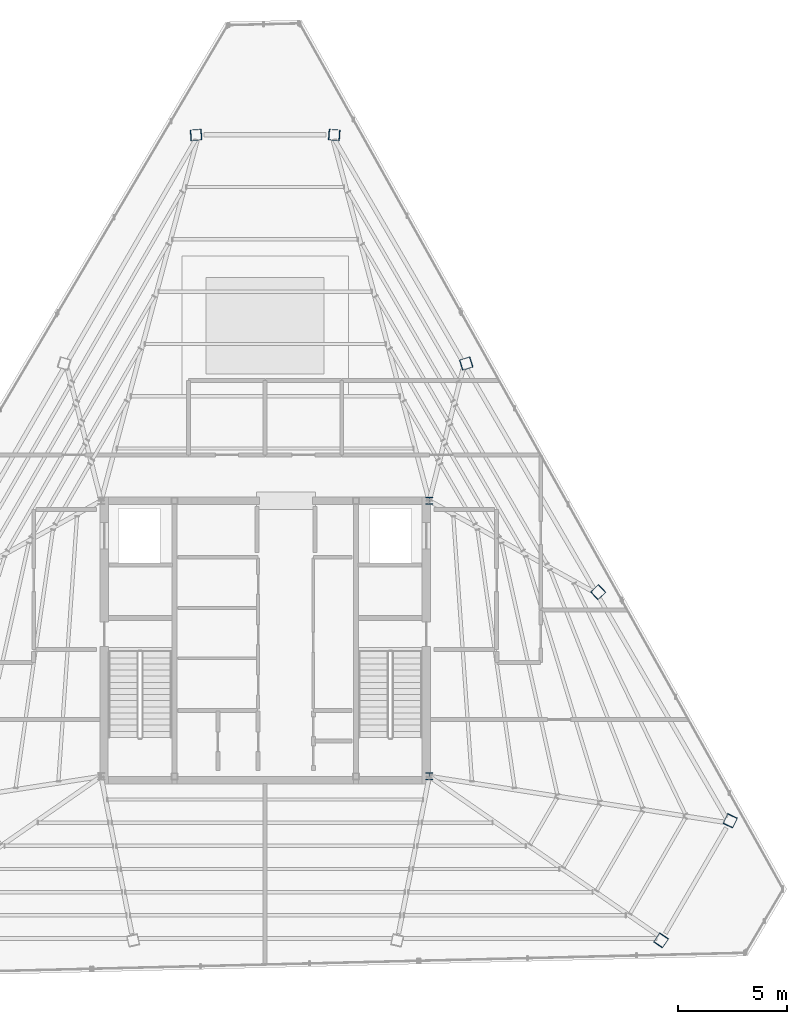
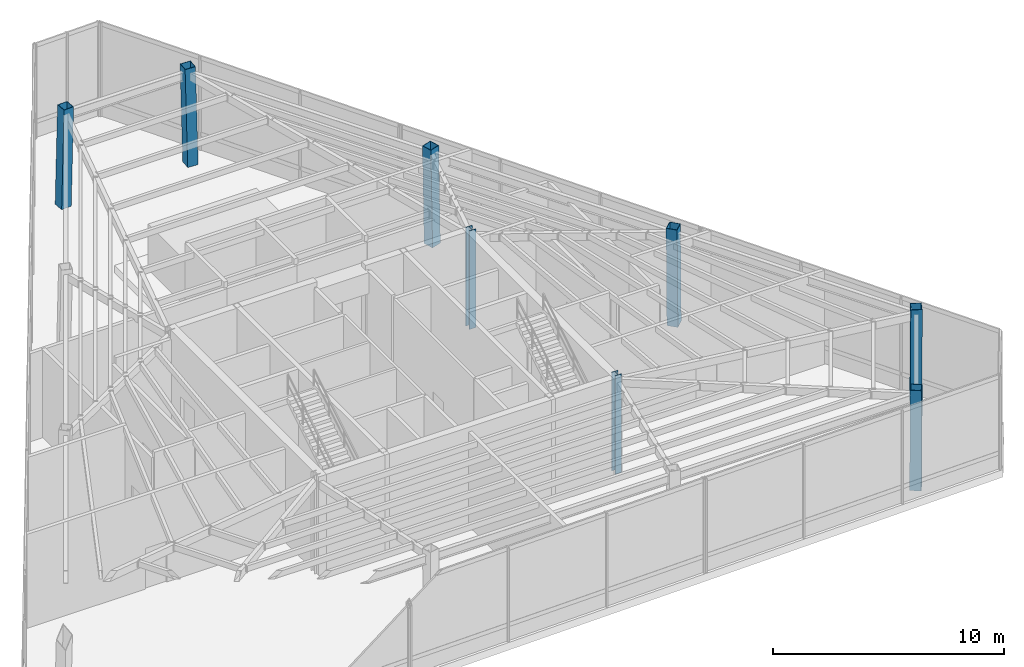
# One storey, part 2 of 25: 8 columns.
"""IFC4 building model written with IfcOpenShell, lengths in metres."""

from ifc_helpers import new_model, si_unit, direction, frame, origin, origin_2d, place, context, subcontext, project, spatial, hollow_rectangle, i_section, extrude, source, transform, mapped, material, material_profile, profile_set, type_object, type_shapes, element, save


model = new_model("IFC4")

# Units and contexts
model_context = context("Model", 3, precision=1e-05, world=origin(), true_north=direction((0.0, 1.0)))
body_context = subcontext(model_context, "Body", "Model", "MODEL_VIEW")
ifc_project = project(units=[si_unit("LENGTHUNIT", "METRE"), si_unit("AREAUNIT", "SQUARE_METRE"), si_unit("VOLUMEUNIT", "CUBIC_METRE"), si_unit("PLANEANGLEUNIT", "RADIAN"), si_unit("MASSUNIT", "GRAM", prefix="KILO")], contexts=[model_context])

# Site, building, storey
site_placement = place(None, origin())
site = spatial("IfcSite", under=ifc_project, at=site_placement, CompositionType="ELEMENT")
building_placement = place(site_placement, origin())
building = spatial("IfcBuilding", under=site, at=building_placement, Name="Caelisora Broadcast Tower", CompositionType="ELEMENT")
storey_placement = place(building_placement, frame((0.0, 0.0, 284.60009765625)))
storey = spatial("IfcBuildingStorey", under=building, at=storey_placement, Name="L75", CompositionType="ELEMENT", Elevation=284.60009765625)

# Columns
ifc_material_1 = material(Name="Steel Grade 350 (AS/NZS 3679.1)", Category="steel")
ifc_material_profile_1 = material_profile(ifc_material_1, i_section(OverallWidth=0.31103515625, OverallDepth=0.3271484375, WebThickness=0.015625, FlangeThickness=0.02490234375, at=origin_2d()), Name="Steel Grade 350 (AS/NZS 3679.1)")
ifc_profile_set_1 = profile_set([ifc_material_profile_1], Name="Steel Grade 350 (AS/NZS 3679.1)")
column_type_1 = type_object("IfcColumnType", Name="CC03", PredefinedType="COLUMN", material=ifc_profile_set_1)
shared_shape_1 = source(origin(), body_context, "Body", "SweptSolid", [
    extrude(i_section(OverallWidth=0.31103515625, OverallDepth=0.3271484375, WebThickness=0.015625, FlangeThickness=0.02490234375, at=origin_2d()), origin(), (0.0, 0.0, 1.0), 5.199951171875),
])
type_shapes(column_type_1, [shared_shape_1])
for number, where, z_axis, x_axis, name in (
    (1, (45.5, 17.39990234375, 0.0), (0.0, 0.0, 1.0), (1.0, 0.0, 0.0), "L75 column CC03"),
    (2, (45.5, 30.0, 0.0), (0.0, 0.0, 1.0), (1.0, 0.0, 0.0), "L75 column CC03"),
):
    element("IfcColumn", number, at=place(storey_placement, frame(where, z_axis=z_axis, x_axis=x_axis)), inside=storey, type_object=column_type_1, Name=name, PredefinedType="COLUMN", context=body_context, shape_type="MappedRepresentation", body=[
        mapped(shared_shape_1, transform((0.0, 0.0, 0.0), scale=1.0)),
    ])
ifc_material_2 = material(Name="Steel Grade 350 L15 (AS/NZS 3678)", Category="steel")
ifc_material_profile_2 = material_profile(ifc_material_2, hollow_rectangle(XDim=0.5, YDim=0.5, WallThickness=0.02001953125, at=origin_2d()), Name="Steel Grade 350 L15 (AS/NZS 3678)")
ifc_profile_set_2 = profile_set([ifc_material_profile_2], Name="Steel Grade 350 L15 (AS/NZS 3678)")
column_type_2 = type_object("IfcColumnType", Name="MC07", PredefinedType="COLUMN", material=ifc_profile_set_2)
shared_shape_2 = source(origin(), body_context, "Body", "SweptSolid", [
    extrude(hollow_rectangle(XDim=0.5, YDim=0.5, WallThickness=0.02001953125, at=origin_2d()), origin(), (0.0, 0.0, 1.0), 5.201416015625),
])
for number, where, z_axis, x_axis, name in (
    (3, (41.17236328125, 46.724365234375, 0.0), (-0.023890978368, 0.001736672298, 0.999713061394), (-0.072500256518, -0.997368393727, 0.0), "L75 column MC07"),
    (4, (34.82763671875, 46.724365234375, 0.0), (0.023890978368, 0.001736672298, 0.999713061394), (-0.072500256518, 0.997368393727, 0.0), "L75 column MC07"),
    (5, (56.093505859375, 9.890380859375, 0.0), (0.013517873063, 0.019807439002, 0.999712424884), (-0.825978804596, 0.5637011747, 0.0), "L75 column MC07"),
    (6, (59.26611328125, 15.38525390625, 0.0), (-0.010420028806, -0.021591050678, 0.999712583461), (0.900604493163, -0.434639559744, 0.0), "L75 column MC07"),
):
    element("IfcColumn", number, at=place(storey_placement, frame(where, z_axis=z_axis, x_axis=x_axis)), inside=storey, type_object=column_type_2, Name=name, PredefinedType="COLUMN", context=body_context, shape_type="MappedRepresentation", body=[
        mapped(shared_shape_2, transform((0.0, 0.0, 0.0), scale=1.0)),
    ])
shared_shape_3 = source(origin(), body_context, "Body", "SweptSolid", [
    extrude(hollow_rectangle(XDim=0.5, YDim=0.5, WallThickness=0.02001953125, at=origin_2d()), origin(), (0.0, 0.0, 1.0), 5.200927734375),
])
type_shapes(column_type_2, [shared_shape_2, shared_shape_3])
for number, where, z_axis, x_axis, name in (
    (7, (53.23486328125, 25.83154296875, 0.0), (-0.014927202574, -0.013753680359, 0.999793986229), (0.677607449893, -0.735423785208, 0.0), "L75 column MC07"),
    (8, (47.20361328125, 36.27783203125, 0.0), (-0.019386587418, -0.006008433873, 0.999794008259), (0.296035470297, -0.955176947129, 0.0), "L75 column MC07"),
):
    element("IfcColumn", number, at=place(storey_placement, frame(where, z_axis=z_axis, x_axis=x_axis)), inside=storey, type_object=column_type_2, Name=name, PredefinedType="COLUMN", context=body_context, shape_type="MappedRepresentation", body=[
        mapped(shared_shape_3, transform((0.0, 0.0, 0.0), scale=1.0)),
    ])

save(model, "model.ifc")
